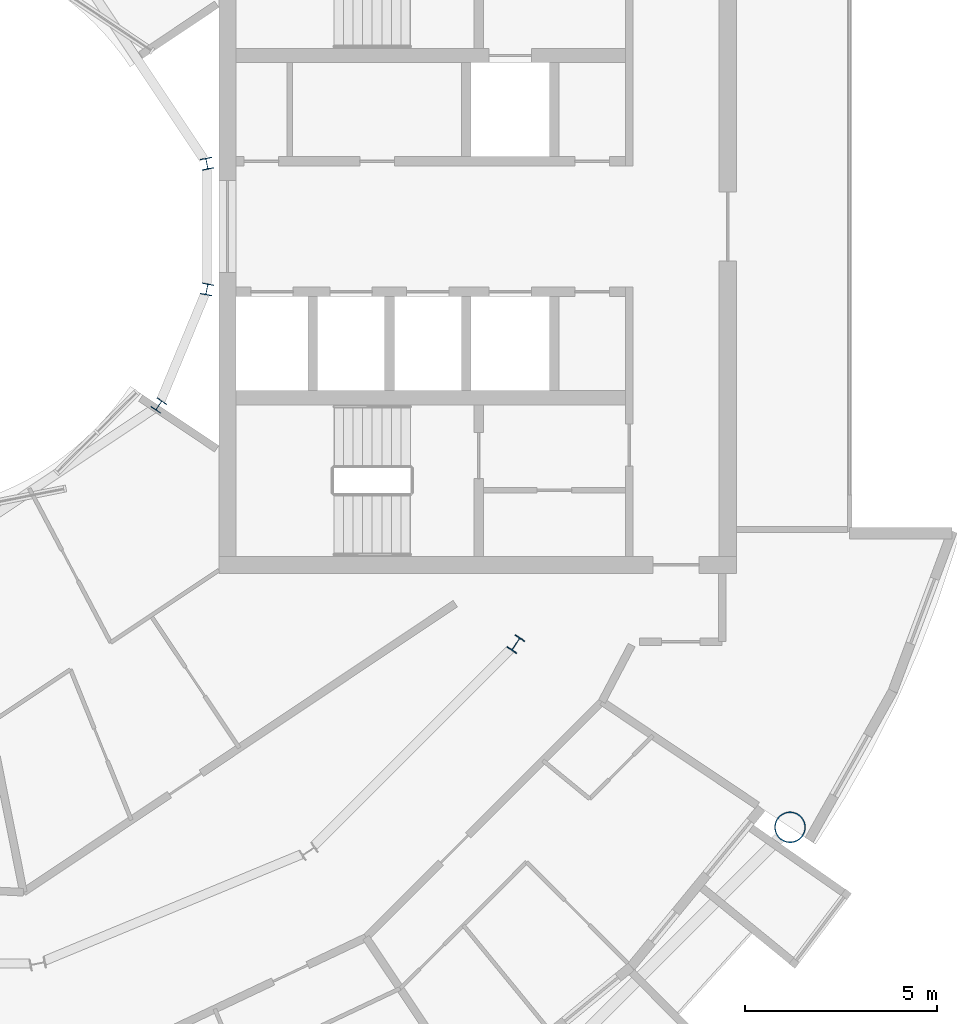
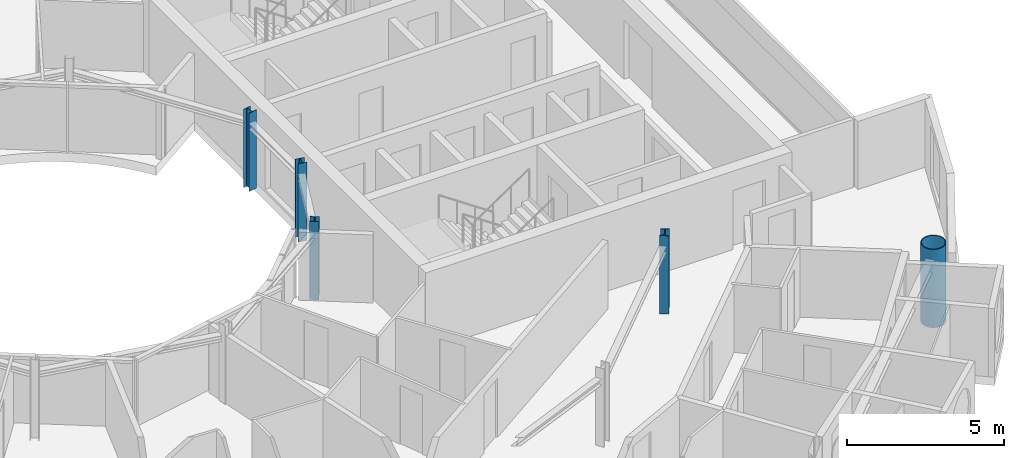
# One storey, part 3 of 28: 5 columns.
"""IFC4 building model written with IfcOpenShell, lengths in metres."""

from ifc_helpers import new_model, si_unit, direction, frame, origin, origin_2d, place, context, subcontext, project, spatial, hollow_circle, i_section, extrude, material, material_profile, profile_set, type_object, element, save


model = new_model("IFC4")

# Units and contexts
model_context = context("Model", 3, precision=1e-05, world=origin(), true_north=direction((0.0, 1.0)))
body_context = subcontext(model_context, "Body", "Model", "MODEL_VIEW")
ifc_project = project(units=[si_unit("LENGTHUNIT", "METRE"), si_unit("AREAUNIT", "SQUARE_METRE"), si_unit("VOLUMEUNIT", "CUBIC_METRE"), si_unit("PLANEANGLEUNIT", "RADIAN"), si_unit("MASSUNIT", "GRAM", prefix="KILO")], contexts=[model_context])

# Site, building, storey
site_placement = place(None, origin())
site = spatial("IfcSite", under=ifc_project, at=site_placement, CompositionType="ELEMENT")
building_placement = place(site_placement, origin())
building = spatial("IfcBuilding", under=site, at=building_placement, Name="Maasbend Ring Residences", CompositionType="ELEMENT")
storey_placement = place(building_placement, frame((0.0, 0.0, 218.800048828125)))
storey = spatial("IfcBuildingStorey", under=building, at=storey_placement, Name="L63", CompositionType="ELEMENT", Elevation=218.800048828125)

# Columns
ifc_material_1 = material(Name="Composite concrete-filled steel tube S460NH / C80/95", Category="concrete")
ifc_material_profile_1 = material_profile(ifc_material_1, hollow_circle(Radius=0.406494140625, WallThickness=0.030029296875, at=origin_2d()), Name="Composite tube column CHS 813x30")
ifc_profile_set_1 = profile_set([ifc_material_profile_1], Name="Composite concrete-filled steel tube S460NH / C80/95")
column_type_1 = type_object("IfcColumnType", Name="Composite tube column CHS 813x30", PredefinedType="COLUMN", material=ifc_profile_set_1)
column_1_placement = place(storey_placement, frame((23.447509765625, -15.6669921875, 0.0), z_axis=(0.0, 0.0, 1.0), x_axis=(1.0, 0.0, 0.0)))
element("IfcColumn", 1, at=column_1_placement, inside=storey, type_object=column_type_1, Name="Outer column R15", PredefinedType="COLUMN", context=body_context, shape_type="SweptSolid", body=[
    extrude(hollow_circle(Radius=0.406494140625, WallThickness=0.030029296875, at=origin_2d()), origin(), (0.0, 0.0, 1.0), 3.050048828125),
])
ifc_material_2 = material(Name="Steel S355J2", Category="steel")
ifc_material_profile_2 = material_profile(ifc_material_2, i_section(OverallWidth=0.300048828125, OverallDepth=0.2900390625, WebThickness=0.008544921875, FlangeThickness=0.013916015625, FilletRadius=0.027099609375, at=origin_2d()), Name="HEA 300")
ifc_profile_set_2 = profile_set([ifc_material_profile_2], Name="Steel S355J2")
column_type_2 = type_object("IfcColumnType", Name="Steel column HEA 300", PredefinedType="COLUMN", material=ifc_profile_set_2)
for number, where, z_axis, x_axis, name in (
    (2, (8.238525390625, 1.638916015625, 0.0), (0.0, 0.0, 1.0), (0.980785280403, 0.195090322016, 0.0), "Well ring column R1"),
    (3, (6.984375, -4.666748046875, 0.0), (0.0, 0.0, 1.0), (0.831469612303, -0.55557023302, 0.0), "Well ring column R15"),
    (4, (8.238525390625, -1.638916015625, 0.0), (0.0, 0.0, 1.0), (0.980785280403, -0.195090322016, 0.0), "Well ring column R16"),
):
    element("IfcColumn", number, at=place(storey_placement, frame(where, z_axis=z_axis, x_axis=x_axis)), inside=storey, type_object=column_type_2, Name=name, PredefinedType="COLUMN", context=body_context, shape_type="SweptSolid", body=[
        extrude(i_section(OverallWidth=0.300048828125, OverallDepth=0.2900390625, WebThickness=0.008544921875, FlangeThickness=0.013916015625, FilletRadius=0.027099609375, at=origin_2d()), origin(), (0.0, 0.0, 1.0), 3.050048828125),
    ])
ifc_material_3 = material(Name="Steel S355J2", Category="steel")
ifc_material_profile_3 = material_profile(ifc_material_3, i_section(OverallWidth=0.300048828125, OverallDepth=0.39990234375, WebThickness=0.013427734375, FlangeThickness=0.02392578125, FilletRadius=0.027099609375, at=origin_2d()), Name="HEB 400")
ifc_profile_set_3 = profile_set([ifc_material_profile_3], Name="Steel S355J2")
column_type_3 = type_object("IfcColumnType", Name="Steel column HEB 400", PredefinedType="COLUMN", material=ifc_profile_set_3)
column_2_placement = place(storey_placement, frame((16.296875, -10.88916015625, 0.0), z_axis=(0.0, 0.0, 1.0), x_axis=(0.831469612303, -0.55557023302, 0.0)))
element("IfcColumn", 5, at=column_2_placement, inside=storey, type_object=column_type_3, Name="Corridor ring column R15", PredefinedType="COLUMN", context=body_context, shape_type="SweptSolid", body=[
    extrude(i_section(OverallWidth=0.300048828125, OverallDepth=0.39990234375, WebThickness=0.013427734375, FlangeThickness=0.02392578125, FilletRadius=0.027099609375, at=origin_2d()), origin(), (0.0, 0.0, 1.0), 3.050048828125),
])

save(model, "model.ifc")
